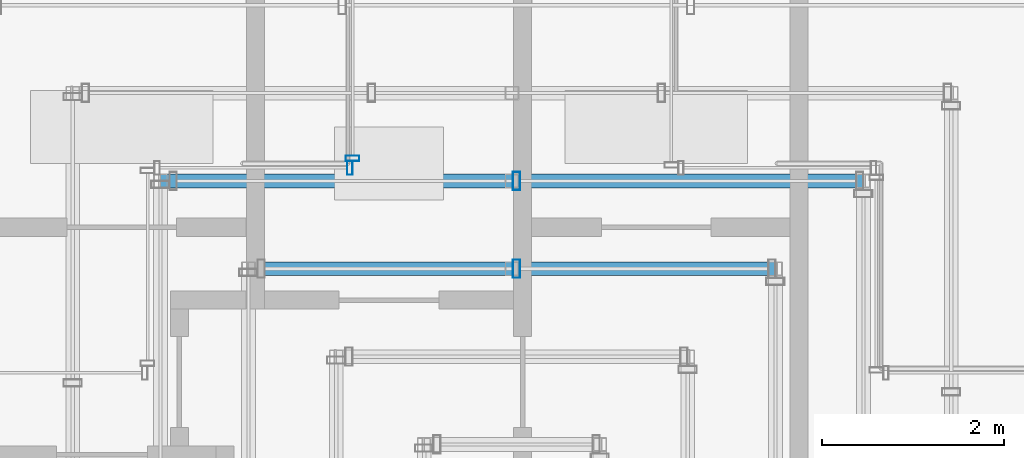
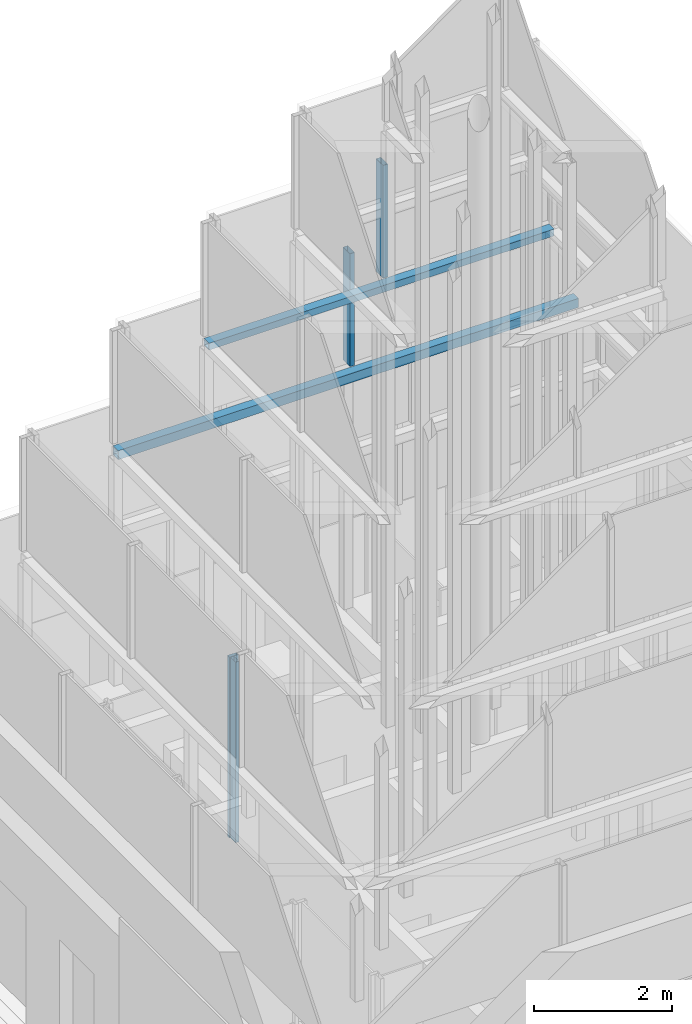
# One storey, part 48 of 62: 4 members, 2 beams, 4 elements without a shape of their own.
"""IFC4 building model written with IfcOpenShell, lengths in metres."""

from ifc_helpers import new_model, si_unit, direction, frame, origin, origin_2d, place, context, subcontext, project, spatial, hollow_rectangle, extrude, material, material_profile, profile_set, type_object, element, aggregate, save


model = new_model("IFC4")

# Units and contexts
model_context = context("Model", 3, precision=1e-05, world=origin(), true_north=direction((0.0, 1.0)))
body_context = subcontext(model_context, "Body", "Model", "MODEL_VIEW")
ifc_project = project(units=[si_unit("LENGTHUNIT", "METRE"), si_unit("AREAUNIT", "SQUARE_METRE"), si_unit("VOLUMEUNIT", "CUBIC_METRE"), si_unit("PLANEANGLEUNIT", "RADIAN"), si_unit("MASSUNIT", "GRAM", prefix="KILO")], contexts=[model_context])

# Site, building, storey
site_placement = place(None, origin())
site = spatial("IfcSite", under=ifc_project, at=site_placement, CompositionType="ELEMENT")
building_placement = place(site_placement, origin())
building = spatial("IfcBuilding", under=site, at=building_placement, Name="Altepetl Exchange Towers", CompositionType="ELEMENT")
storey_placement = place(building_placement, frame((0.0, 0.0, 210.0)))
storey = spatial("IfcBuildingStorey", under=building, at=storey_placement, Name="L53", CompositionType="ELEMENT", Elevation=210.0)

# Beams
ifc_material_1 = material(Name="Steel S355", Category="steel")
ifc_material_profile_1 = material_profile(ifc_material_1, hollow_rectangle(XDim=0.14990234375, YDim=0.1201171875, WallThickness=0.008056640625, at=origin_2d()), Name="RHS 120x150x8")
ifc_profile_set_1 = profile_set([ifc_material_profile_1], Name="Steel S355")
beam_type_1 = type_object("IfcBeamType", Name="Crown ring beam hollow section 150x120x8", PredefinedType="BEAM", material=ifc_profile_set_1)
beam_1_placement = place(storey_placement, frame((113.142822265625, 45.642822265625, 9.840087890625), z_axis=(-1.0, 0.0, 0.0), x_axis=(0.0, -1.0, 0.0)))
element("IfcBeam", 1, at=beam_1_placement, inside=storey, type_object=beam_type_1, Name="Crown ring beam", PredefinedType="BEAM", context=body_context, shape_type="SweptSolid", body=[
    extrude(hollow_rectangle(XDim=0.14990234375, YDim=0.1201171875, WallThickness=0.008056640625, at=origin_2d()), origin(), (0.0, 0.0, 1.0), 5.78564453125),
])
ifc_material_profile_2 = material_profile(ifc_material_1, hollow_rectangle(XDim=0.14990234375, YDim=0.159912109375, WallThickness=0.008056640625, at=origin_2d()), Name="RHS 160x150x8")
ifc_profile_set_2 = profile_set([ifc_material_profile_2], Name="Steel S355")
beam_type_2 = type_object("IfcBeamType", Name="Crown ring beam hollow section 150x160x8", PredefinedType="BEAM", material=ifc_profile_set_2)
beam_2_placement = place(storey_placement, frame((114.107177734375, 46.607177734375, 7.669921875), z_axis=(-1.0, 0.0, 0.0), x_axis=(0.0, -1.0, 0.0)))
element("IfcBeam", 2, at=beam_2_placement, inside=storey, type_object=beam_type_2, Name="Crown ring beam", PredefinedType="BEAM", context=body_context, shape_type="SweptSolid", body=[
    extrude(hollow_rectangle(XDim=0.14990234375, YDim=0.159912109375, WallThickness=0.008056640625, at=origin_2d()), origin(), (0.0, 0.0, 1.0), 7.71435546875),
])

# Curtain wall, member
ifc_material_2 = material(Name="Aluminium 6063-T6 glazing", Category="aluminium")
curtain_wall_type_1 = type_object("IfcCurtainWallType", Name="Loggia glazing system", PredefinedType="NOTDEFINED", material=ifc_material_2)
curtain_wall_1_placement = place(storey_placement, origin())
curtain_wall_1 = element("IfcCurtainWall", 3, at=curtain_wall_1_placement, inside=storey, type_object=curtain_wall_type_1, Name="CW1 run", PredefinedType="NOTDEFINED")
ifc_material_3 = material(Name="Aluminium 6063-T6", Category="aluminium")
ifc_material_profile_3 = material_profile(ifc_material_3, hollow_rectangle(XDim=0.06005859375, YDim=0.14990234375, WallThickness=0.0029296875, at=origin_2d()), Name="Mullion 60x150 aluminium")
ifc_profile_set_3 = profile_set([ifc_material_profile_3], Name="Aluminium 6063-T6")
member_type_1 = type_object("IfcMemberType", Name="Mullion 60x150 aluminium", PredefinedType="MULLION", material=ifc_profile_set_3)
member_1_placement = place(storey_placement, frame((108.5, 46.85498046875, 0.0), z_axis=(0.0, 0.0, 1.0), x_axis=(0.0, -1.0, 0.0)))
member_1 = element("IfcMember", 4, at=member_1_placement, type_object=member_type_1, Name="MU1 mullion", PredefinedType="MULLION", context=body_context, shape_type="SweptSolid", body=[
    extrude(hollow_rectangle(XDim=0.06005859375, YDim=0.14990234375, WallThickness=0.0029296875, at=origin_2d()), origin(), (0.0, 0.0, 1.0), 3.199951171875),
])
aggregate(curtain_wall_1, [member_1])

curtain_wall_2_placement = place(storey_placement, origin())
curtain_wall_2 = element("IfcCurtainWall", 5, at=curtain_wall_2_placement, inside=storey, type_object=curtain_wall_type_1, Name="CW1 run", PredefinedType="NOTDEFINED")
member_2_placement = place(storey_placement, frame((108.469970703125, 46.75, 0.0), z_axis=(0.0, 0.0, 1.0), x_axis=(-1.0, 0.0, 0.0)))
member_2 = element("IfcMember", 6, at=member_2_placement, type_object=member_type_1, Name="MU1 mullion", PredefinedType="MULLION", context=body_context, shape_type="SweptSolid", body=[
    extrude(hollow_rectangle(XDim=0.06005859375, YDim=0.14990234375, WallThickness=0.0029296875, at=origin_2d()), origin(), (0.0, 0.0, 1.0), 3.199951171875),
])
aggregate(curtain_wall_2, [member_2])

curtain_wall_type_2 = type_object("IfcCurtainWallType", Name="Crown glazing system", PredefinedType="NOTDEFINED", material=ifc_material_2)
curtain_wall_3_placement = place(storey_placement, origin())
curtain_wall_3 = element("IfcCurtainWall", 7, at=curtain_wall_3_placement, inside=storey, type_object=curtain_wall_type_2, Name="CW7 run", PredefinedType="NOTDEFINED")
ifc_material_profile_4 = material_profile(ifc_material_3, hollow_rectangle(XDim=0.080078125, YDim=0.199951171875, WallThickness=0.0029296875, at=origin_2d()), Name="Mullion 80x200 hollow aluminium")
ifc_profile_set_4 = profile_set([ifc_material_profile_4], Name="Aluminium 6063-T6")
member_type_2 = type_object("IfcMemberType", Name="Mullion 80x200 hollow aluminium", PredefinedType="MULLION", material=ifc_profile_set_4)
member_3_placement = place(storey_placement, frame((110.300048828125, 46.607177734375, 7.89990234375), z_axis=(0.0, 0.0, 1.0), x_axis=(-1.0, 0.0, 0.0)))
member_3 = element("IfcMember", 8, at=member_3_placement, type_object=member_type_2, Name="MU5 mullion", PredefinedType="MULLION", context=body_context, shape_type="SweptSolid", body=[
    extrude(hollow_rectangle(XDim=0.080078125, YDim=0.199951171875, WallThickness=0.0029296875, at=origin_2d()), origin(), (0.0, 0.0, 1.0), 2.0),
])
aggregate(curtain_wall_3, [member_3])

curtain_wall_4_placement = place(storey_placement, origin())
curtain_wall_4 = element("IfcCurtainWall", 9, at=curtain_wall_4_placement, inside=storey, type_object=curtain_wall_type_2, Name="CW7 run", PredefinedType="NOTDEFINED")
member_4_placement = place(storey_placement, frame((110.300048828125, 45.642822265625, 10.050048828125), z_axis=(0.0, 0.0, 1.0), x_axis=(-1.0, 0.0, 0.0)))
member_4 = element("IfcMember", 10, at=member_4_placement, type_object=member_type_2, Name="MU5 mullion", PredefinedType="MULLION", context=body_context, shape_type="SweptSolid", body=[
    extrude(hollow_rectangle(XDim=0.080078125, YDim=0.199951171875, WallThickness=0.0029296875, at=origin_2d()), origin(), (0.0, 0.0, 1.0), 2.0),
])
aggregate(curtain_wall_4, [member_4])

save(model, "model.ifc")
